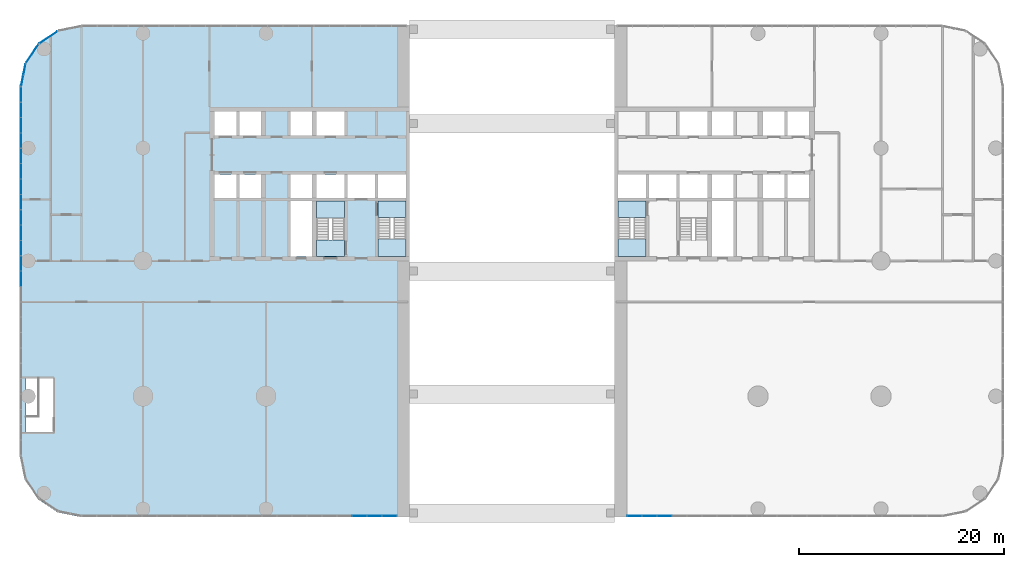
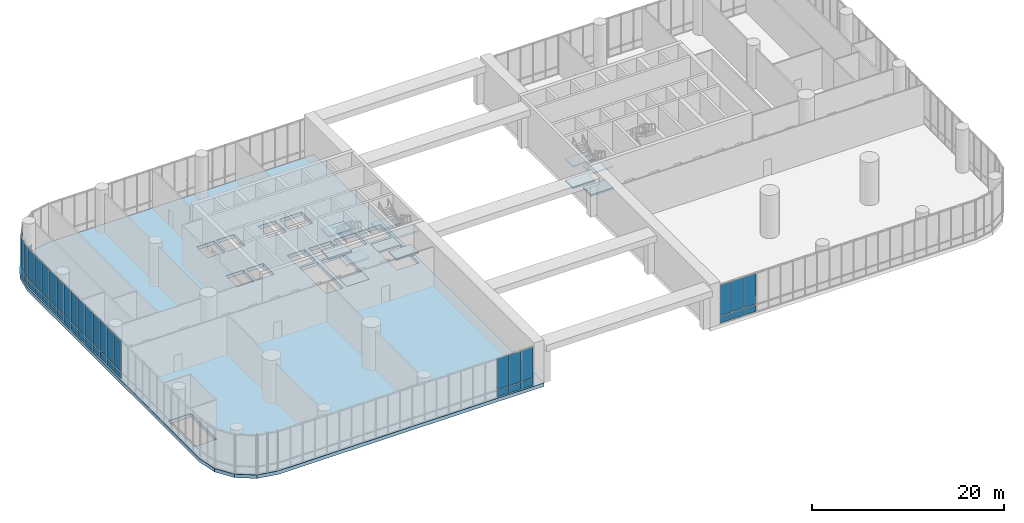
# One storey, part 20 of 30: 45 plates, 13 slabs, 9 elements without a shape of their own.
"""IFC4 building model written with IfcOpenShell, lengths in metres."""

from ifc_helpers import new_model, si_unit, direction, frame, origin, origin_2d, place, context, subcontext, project, spatial, polyline, rectangle, outline, extrude, material, layer, layer_set, type_object, element, aggregate, save


model = new_model("IFC4")

# Units and contexts
model_context = context("Model", 3, precision=1e-05, world=origin(), true_north=direction((0.0, 1.0)))
body_context = subcontext(model_context, "Body", "Model", "MODEL_VIEW")
ifc_project = project(units=[si_unit("LENGTHUNIT", "METRE"), si_unit("AREAUNIT", "SQUARE_METRE"), si_unit("VOLUMEUNIT", "CUBIC_METRE"), si_unit("PLANEANGLEUNIT", "RADIAN"), si_unit("MASSUNIT", "GRAM", prefix="KILO")], contexts=[model_context])

# Site, building, storey
site_placement = place(None, origin())
site = spatial("IfcSite", under=ifc_project, at=site_placement, CompositionType="ELEMENT")
building_placement = place(site_placement, origin())
building = spatial("IfcBuilding", under=site, at=building_placement, Name="Torana Hotel and Residences", CompositionType="ELEMENT")
storey_placement = place(building_placement, frame((0.0, 0.0, 12.5)))
storey = spatial("IfcBuildingStorey", under=building, at=storey_placement, Name="L02", CompositionType="ELEMENT", Elevation=12.5)

# Curtain wall, plates
ifc_material_1 = material(Name="Dark anodised aluminium", Category="aluminium")
ifc_layer_1 = layer(ifc_material_1, 0.14990234375)
ifc_layer_set_1 = layer_set([ifc_layer_1], Name="CW5 PODIUM UPPER UNITISED CURTAIN WALL")
curtain_wall_type = type_object("IfcCurtainWallType", Name="CW5 PODIUM UPPER UNITISED CURTAIN WALL", PredefinedType="NOTDEFINED", material=ifc_layer_set_1)
curtain_wall_1_placement = place(storey_placement, origin())
curtain_wall_1 = element("IfcCurtainWall", 1, at=curtain_wall_1_placement, inside=storey, type_object=curtain_wall_type, Name="Curtain wall CW5 L02 e0.0", PredefinedType="NOTDEFINED")
ifc_material_2 = material(Name="Glass clear low-iron laminated double glazed unit", Category="glass")
ifc_layer_2 = layer(ifc_material_2, 0.035888671875)
ifc_layer_set_2 = layer_set([ifc_layer_2], Name="CW5 DARK GLASS PANEL 36")
plate_type = type_object("IfcPlateType", Name="CW5 DARK GLASS PANEL 36", PredefinedType="CURTAIN_PANEL", material=ifc_layer_set_2)
plate_1_placement = place(storey_placement, frame((-14.86376953125, -39.89990234375, 0.099853515625), z_axis=(0.0, 0.0, 1.0), x_axis=(1.0, 0.0, 0.0)))
plate_1 = element("IfcPlate", 2, at=plate_1_placement, type_object=plate_type, Name="CW5 panel 19.1", PredefinedType="CURTAIN_PANEL", context=body_context, shape_type="SweptSolid", body=[
    extrude(rectangle(XDim=1.405517578125, YDim=0.035888671875, at=origin_2d()), origin(), (0.0, 0.0, 1.0), 0.85009765625),
])
plate_2_placement = place(storey_placement, frame((-14.86376953125, -39.89990234375, 1.050048828125), z_axis=(0.0, 0.0, 1.0), x_axis=(1.0, 0.0, 0.0)))
plate_2 = element("IfcPlate", 3, at=plate_2_placement, type_object=plate_type, Name="CW5 panel 19.2", PredefinedType="CURTAIN_PANEL", context=body_context, shape_type="SweptSolid", body=[
    extrude(rectangle(XDim=1.405517578125, YDim=0.035888671875, at=origin_2d()), origin(), (0.0, 0.0, 1.0), 3.89990234375),
])
plate_3_placement = place(storey_placement, frame((-13.398193359375, -39.89990234375, 0.099853515625), z_axis=(0.0, 0.0, 1.0), x_axis=(1.0, 0.0, 0.0)))
plate_3 = element("IfcPlate", 4, at=plate_3_placement, type_object=plate_type, Name="CW5 panel 20.1", PredefinedType="CURTAIN_PANEL", context=body_context, shape_type="SweptSolid", body=[
    extrude(rectangle(XDim=1.405517578125, YDim=0.035888671875, at=origin_2d()), origin(), (0.0, 0.0, 1.0), 0.85009765625),
])
plate_4_placement = place(storey_placement, frame((-13.398193359375, -39.89990234375, 1.050048828125), z_axis=(0.0, 0.0, 1.0), x_axis=(1.0, 0.0, 0.0)))
plate_4 = element("IfcPlate", 5, at=plate_4_placement, type_object=plate_type, Name="CW5 panel 20.2", PredefinedType="CURTAIN_PANEL", context=body_context, shape_type="SweptSolid", body=[
    extrude(rectangle(XDim=1.405517578125, YDim=0.035888671875, at=origin_2d()), origin(), (0.0, 0.0, 1.0), 3.89990234375),
])
plate_5_placement = place(storey_placement, frame((-11.94775390625, -39.89990234375, 0.099853515625), z_axis=(0.0, 0.0, 1.0), x_axis=(1.0, 0.0, 0.0)))
plate_5 = element("IfcPlate", 6, at=plate_5_placement, type_object=plate_type, Name="CW5 panel 21.1", PredefinedType="CURTAIN_PANEL", context=body_context, shape_type="SweptSolid", body=[
    extrude(rectangle(XDim=1.37548828125, YDim=0.035888671875, at=origin_2d()), origin(), (0.0, 0.0, 1.0), 0.85009765625),
])
plate_6_placement = place(storey_placement, frame((-11.94775390625, -39.89990234375, 1.050048828125), z_axis=(0.0, 0.0, 1.0), x_axis=(1.0, 0.0, 0.0)))
plate_6 = element("IfcPlate", 7, at=plate_6_placement, type_object=plate_type, Name="CW5 panel 21.2", PredefinedType="CURTAIN_PANEL", context=body_context, shape_type="SweptSolid", body=[
    extrude(rectangle(XDim=1.37548828125, YDim=0.035888671875, at=origin_2d()), origin(), (0.0, 0.0, 1.0), 3.89990234375),
])
aggregate(curtain_wall_1, [plate_1, plate_2, plate_3, plate_4, plate_5, plate_6])

# Curtain wall, plate
curtain_wall_2_placement = place(storey_placement, origin())
curtain_wall_2 = element("IfcCurtainWall", 8, at=curtain_wall_2_placement, inside=storey, type_object=curtain_wall_type, Name="Curtain wall CW5 L02 e0.4", PredefinedType="NOTDEFINED")
plate_7_placement = place(storey_placement, frame((-45.2138671875, 6.809814453125, 0.099853515625), z_axis=(0.0, 0.0, 1.0), x_axis=(-0.831459585616, -0.555585238723, 0.0)))
plate_7 = element("IfcPlate", 9, at=plate_7_placement, type_object=plate_type, Name="CW5 panel 1.1", PredefinedType="CURTAIN_PANEL", context=body_context, shape_type="SweptSolid", body=[
    extrude(rectangle(XDim=2.12158203125, YDim=0.035888671875, at=origin_2d()), origin(), (0.0, 0.0, 1.0), 0.85009765625),
])
aggregate(curtain_wall_2, [plate_7])

# Curtain wall, plates
curtain_wall_3_placement = place(storey_placement, origin())
curtain_wall_3 = element("IfcCurtainWall", 10, at=curtain_wall_3_placement, inside=storey, type_object=curtain_wall_type, Name="Curtain wall CW5 L02 e0.5", PredefinedType="NOTDEFINED")
plate_8_placement = place(storey_placement, frame((-46.809814453125, 5.2138671875, 0.099853515625), z_axis=(0.0, 0.0, 1.0), x_axis=(-0.555585238723, -0.831459585616, 0.0)))
plate_8 = element("IfcPlate", 11, at=plate_8_placement, type_object=plate_type, Name="CW5 panel 1.1", PredefinedType="CURTAIN_PANEL", context=body_context, shape_type="SweptSolid", body=[
    extrude(rectangle(XDim=2.12158203125, YDim=0.035888671875, at=origin_2d()), origin(), (0.0, 0.0, 1.0), 0.85009765625),
])
plate_9_placement = place(storey_placement, frame((-46.809814453125, 5.2138671875, 1.050048828125), z_axis=(0.0, 0.0, 1.0), x_axis=(-0.555585238723, -0.831459585616, 0.0)))
plate_9 = element("IfcPlate", 12, at=plate_9_placement, type_object=plate_type, Name="CW5 panel 1.2", PredefinedType="CURTAIN_PANEL", context=body_context, shape_type="SweptSolid", body=[
    extrude(rectangle(XDim=2.12158203125, YDim=0.035888671875, at=origin_2d()), origin(), (0.0, 0.0, 1.0), 3.89990234375),
])
aggregate(curtain_wall_3, [plate_8, plate_9])

curtain_wall_4_placement = place(storey_placement, origin())
curtain_wall_4 = element("IfcCurtainWall", 13, at=curtain_wall_4_placement, inside=storey, type_object=curtain_wall_type, Name="Curtain wall CW5 L02 e0.6", PredefinedType="NOTDEFINED")
plate_10_placement = place(storey_placement, frame((-47.568359375, 3.6572265625, 0.099853515625), z_axis=(0.0, 0.0, 1.0), x_axis=(-0.195080996415, -0.980787135335, 0.0)))
plate_10 = element("IfcPlate", 14, at=plate_10_placement, type_object=plate_type, Name="CW5 panel 1.1", PredefinedType="CURTAIN_PANEL", context=body_context, shape_type="SweptSolid", body=[
    extrude(rectangle(XDim=1.04345703125, YDim=0.035888671875, at=origin_2d()), origin(), (0.0, 0.0, 1.0), 0.85009765625),
])
plate_11_placement = place(storey_placement, frame((-47.568359375, 3.6572265625, 1.050048828125), z_axis=(0.0, 0.0, 1.0), x_axis=(-0.195080996415, -0.980787135335, 0.0)))
plate_11 = element("IfcPlate", 15, at=plate_11_placement, type_object=plate_type, Name="CW5 panel 1.2", PredefinedType="CURTAIN_PANEL", context=body_context, shape_type="SweptSolid", body=[
    extrude(rectangle(XDim=1.04345703125, YDim=0.035888671875, at=origin_2d()), origin(), (0.0, 0.0, 1.0), 3.89990234375),
])
plate_12_placement = place(storey_placement, frame((-47.78369140625, 2.5751953125, 0.099853515625), z_axis=(0.0, 0.0, 1.0), x_axis=(-0.195080996415, -0.980787135335, 0.0)))
plate_12 = element("IfcPlate", 16, at=plate_12_placement, type_object=plate_type, Name="CW5 panel 2.1", PredefinedType="CURTAIN_PANEL", context=body_context, shape_type="SweptSolid", body=[
    extrude(rectangle(XDim=1.04345703125, YDim=0.035888671875, at=origin_2d()), origin(), (0.0, 0.0, 1.0), 0.85009765625),
])
plate_13_placement = place(storey_placement, frame((-47.78369140625, 2.5751953125, 1.050048828125), z_axis=(0.0, 0.0, 1.0), x_axis=(-0.195080996415, -0.980787135335, 0.0)))
plate_13 = element("IfcPlate", 17, at=plate_13_placement, type_object=plate_type, Name="CW5 panel 2.2", PredefinedType="CURTAIN_PANEL", context=body_context, shape_type="SweptSolid", body=[
    extrude(rectangle(XDim=1.04345703125, YDim=0.035888671875, at=origin_2d()), origin(), (0.0, 0.0, 1.0), 3.89990234375),
])
aggregate(curtain_wall_4, [plate_10, plate_11, plate_12, plate_13])

curtain_wall_5_placement = place(storey_placement, origin())
curtain_wall_5 = element("IfcCurtainWall", 18, at=curtain_wall_5_placement, inside=storey, type_object=curtain_wall_type, Name="Curtain wall CW5 L02 e0.7", PredefinedType="NOTDEFINED")
plate_14_placement = place(storey_placement, frame((-47.89990234375, 1.21142578125, 0.099853515625), z_axis=(0.0, 0.0, 1.0), x_axis=(0.0, -1.0, 0.0)))
plate_14 = element("IfcPlate", 19, at=plate_14_placement, type_object=plate_type, Name="CW5 panel 1.1", PredefinedType="CURTAIN_PANEL", context=body_context, shape_type="SweptSolid", body=[
    extrude(rectangle(XDim=1.407958984375, YDim=0.035888671875, at=origin_2d()), origin(), (0.0, 0.0, 1.0), 0.85009765625),
])
plate_15_placement = place(storey_placement, frame((-47.89990234375, 1.21142578125, 1.050048828125), z_axis=(0.0, 0.0, 1.0), x_axis=(0.0, -1.0, 0.0)))
plate_15 = element("IfcPlate", 20, at=plate_15_placement, type_object=plate_type, Name="CW5 panel 1.2", PredefinedType="CURTAIN_PANEL", context=body_context, shape_type="SweptSolid", body=[
    extrude(rectangle(XDim=1.407958984375, YDim=0.035888671875, at=origin_2d()), origin(), (0.0, 0.0, 1.0), 3.89990234375),
])
plate_16_placement = place(storey_placement, frame((-47.89990234375, -0.271484375, 0.099853515625), z_axis=(0.0, 0.0, 1.0), x_axis=(0.0, -1.0, 0.0)))
plate_16 = element("IfcPlate", 21, at=plate_16_placement, type_object=plate_type, Name="CW5 panel 2.1", PredefinedType="CURTAIN_PANEL", context=body_context, shape_type="SweptSolid", body=[
    extrude(rectangle(XDim=1.43798828125, YDim=0.035888671875, at=origin_2d()), origin(), (0.0, 0.0, 1.0), 0.85009765625),
])
plate_17_placement = place(storey_placement, frame((-47.89990234375, -0.271484375, 1.050048828125), z_axis=(0.0, 0.0, 1.0), x_axis=(0.0, -1.0, 0.0)))
plate_17 = element("IfcPlate", 22, at=plate_17_placement, type_object=plate_type, Name="CW5 panel 2.2", PredefinedType="CURTAIN_PANEL", context=body_context, shape_type="SweptSolid", body=[
    extrude(rectangle(XDim=1.43798828125, YDim=0.035888671875, at=origin_2d()), origin(), (0.0, 0.0, 1.0), 3.89990234375),
])
plate_18_placement = place(storey_placement, frame((-47.89990234375, -1.76953125, 0.099853515625), z_axis=(0.0, 0.0, 1.0), x_axis=(0.0, -1.0, 0.0)))
plate_18 = element("IfcPlate", 23, at=plate_18_placement, type_object=plate_type, Name="CW5 panel 3.1", PredefinedType="CURTAIN_PANEL", context=body_context, shape_type="SweptSolid", body=[
    extrude(rectangle(XDim=1.43798828125, YDim=0.035888671875, at=origin_2d()), origin(), (0.0, 0.0, 1.0), 0.85009765625),
])
plate_19_placement = place(storey_placement, frame((-47.89990234375, -1.76953125, 1.050048828125), z_axis=(0.0, 0.0, 1.0), x_axis=(0.0, -1.0, 0.0)))
plate_19 = element("IfcPlate", 24, at=plate_19_placement, type_object=plate_type, Name="CW5 panel 3.2", PredefinedType="CURTAIN_PANEL", context=body_context, shape_type="SweptSolid", body=[
    extrude(rectangle(XDim=1.43798828125, YDim=0.035888671875, at=origin_2d()), origin(), (0.0, 0.0, 1.0), 3.89990234375),
])
plate_20_placement = place(storey_placement, frame((-47.89990234375, -3.267333984375, 0.099853515625), z_axis=(0.0, 0.0, 1.0), x_axis=(0.0, -1.0, 0.0)))
plate_20 = element("IfcPlate", 25, at=plate_20_placement, type_object=plate_type, Name="CW5 panel 4.1", PredefinedType="CURTAIN_PANEL", context=body_context, shape_type="SweptSolid", body=[
    extrude(rectangle(XDim=1.43798828125, YDim=0.035888671875, at=origin_2d()), origin(), (0.0, 0.0, 1.0), 0.85009765625),
])
plate_21_placement = place(storey_placement, frame((-47.89990234375, -3.267333984375, 1.050048828125), z_axis=(0.0, 0.0, 1.0), x_axis=(0.0, -1.0, 0.0)))
plate_21 = element("IfcPlate", 26, at=plate_21_placement, type_object=plate_type, Name="CW5 panel 4.2", PredefinedType="CURTAIN_PANEL", context=body_context, shape_type="SweptSolid", body=[
    extrude(rectangle(XDim=1.43798828125, YDim=0.035888671875, at=origin_2d()), origin(), (0.0, 0.0, 1.0), 3.89990234375),
])
plate_22_placement = place(storey_placement, frame((-47.89990234375, -4.765380859375, 0.099853515625), z_axis=(0.0, 0.0, 1.0), x_axis=(0.0, -1.0, 0.0)))
plate_22 = element("IfcPlate", 27, at=plate_22_placement, type_object=plate_type, Name="CW5 panel 5.1", PredefinedType="CURTAIN_PANEL", context=body_context, shape_type="SweptSolid", body=[
    extrude(rectangle(XDim=1.43798828125, YDim=0.035888671875, at=origin_2d()), origin(), (0.0, 0.0, 1.0), 0.85009765625),
])
plate_23_placement = place(storey_placement, frame((-47.89990234375, -4.765380859375, 1.050048828125), z_axis=(0.0, 0.0, 1.0), x_axis=(0.0, -1.0, 0.0)))
plate_23 = element("IfcPlate", 28, at=plate_23_placement, type_object=plate_type, Name="CW5 panel 5.2", PredefinedType="CURTAIN_PANEL", context=body_context, shape_type="SweptSolid", body=[
    extrude(rectangle(XDim=1.43798828125, YDim=0.035888671875, at=origin_2d()), origin(), (0.0, 0.0, 1.0), 3.89990234375),
])
plate_24_placement = place(storey_placement, frame((-47.89990234375, -6.263427734375, 0.099853515625), z_axis=(0.0, 0.0, 1.0), x_axis=(0.0, -1.0, 0.0)))
plate_24 = element("IfcPlate", 29, at=plate_24_placement, type_object=plate_type, Name="CW5 panel 6.1", PredefinedType="CURTAIN_PANEL", context=body_context, shape_type="SweptSolid", body=[
    extrude(rectangle(XDim=1.43798828125, YDim=0.035888671875, at=origin_2d()), origin(), (0.0, 0.0, 1.0), 0.85009765625),
])
plate_25_placement = place(storey_placement, frame((-47.89990234375, -6.263427734375, 1.050048828125), z_axis=(0.0, 0.0, 1.0), x_axis=(0.0, -1.0, 0.0)))
plate_25 = element("IfcPlate", 30, at=plate_25_placement, type_object=plate_type, Name="CW5 panel 6.2", PredefinedType="CURTAIN_PANEL", context=body_context, shape_type="SweptSolid", body=[
    extrude(rectangle(XDim=1.43798828125, YDim=0.035888671875, at=origin_2d()), origin(), (0.0, 0.0, 1.0), 3.89990234375),
])
plate_26_placement = place(storey_placement, frame((-47.89990234375, -7.76123046875, 0.099853515625), z_axis=(0.0, 0.0, 1.0), x_axis=(0.0, -1.0, 0.0)))
plate_26 = element("IfcPlate", 31, at=plate_26_placement, type_object=plate_type, Name="CW5 panel 7.1", PredefinedType="CURTAIN_PANEL", context=body_context, shape_type="SweptSolid", body=[
    extrude(rectangle(XDim=1.43798828125, YDim=0.035888671875, at=origin_2d()), origin(), (0.0, 0.0, 1.0), 0.85009765625),
])
plate_27_placement = place(storey_placement, frame((-47.89990234375, -7.76123046875, 1.050048828125), z_axis=(0.0, 0.0, 1.0), x_axis=(0.0, -1.0, 0.0)))
plate_27 = element("IfcPlate", 32, at=plate_27_placement, type_object=plate_type, Name="CW5 panel 7.2", PredefinedType="CURTAIN_PANEL", context=body_context, shape_type="SweptSolid", body=[
    extrude(rectangle(XDim=1.43798828125, YDim=0.035888671875, at=origin_2d()), origin(), (0.0, 0.0, 1.0), 3.89990234375),
])
plate_28_placement = place(storey_placement, frame((-47.89990234375, -9.25927734375, 0.099853515625), z_axis=(0.0, 0.0, 1.0), x_axis=(0.0, -1.0, 0.0)))
plate_28 = element("IfcPlate", 33, at=plate_28_placement, type_object=plate_type, Name="CW5 panel 8.1", PredefinedType="CURTAIN_PANEL", context=body_context, shape_type="SweptSolid", body=[
    extrude(rectangle(XDim=1.43798828125, YDim=0.035888671875, at=origin_2d()), origin(), (0.0, 0.0, 1.0), 0.85009765625),
])
plate_29_placement = place(storey_placement, frame((-47.89990234375, -9.25927734375, 1.050048828125), z_axis=(0.0, 0.0, 1.0), x_axis=(0.0, -1.0, 0.0)))
plate_29 = element("IfcPlate", 34, at=plate_29_placement, type_object=plate_type, Name="CW5 panel 8.2", PredefinedType="CURTAIN_PANEL", context=body_context, shape_type="SweptSolid", body=[
    extrude(rectangle(XDim=1.43798828125, YDim=0.035888671875, at=origin_2d()), origin(), (0.0, 0.0, 1.0), 3.89990234375),
])
plate_30_placement = place(storey_placement, frame((-47.89990234375, -10.757080078125, 0.099853515625), z_axis=(0.0, 0.0, 1.0), x_axis=(0.0, -1.0, 0.0)))
plate_30 = element("IfcPlate", 35, at=plate_30_placement, type_object=plate_type, Name="CW5 panel 9.1", PredefinedType="CURTAIN_PANEL", context=body_context, shape_type="SweptSolid", body=[
    extrude(rectangle(XDim=1.43798828125, YDim=0.035888671875, at=origin_2d()), origin(), (0.0, 0.0, 1.0), 0.85009765625),
])
plate_31_placement = place(storey_placement, frame((-47.89990234375, -10.757080078125, 1.050048828125), z_axis=(0.0, 0.0, 1.0), x_axis=(0.0, -1.0, 0.0)))
plate_31 = element("IfcPlate", 36, at=plate_31_placement, type_object=plate_type, Name="CW5 panel 9.2", PredefinedType="CURTAIN_PANEL", context=body_context, shape_type="SweptSolid", body=[
    extrude(rectangle(XDim=1.43798828125, YDim=0.035888671875, at=origin_2d()), origin(), (0.0, 0.0, 1.0), 3.89990234375),
])
plate_32_placement = place(storey_placement, frame((-47.89990234375, -12.255126953125, 0.099853515625), z_axis=(0.0, 0.0, 1.0), x_axis=(0.0, -1.0, 0.0)))
plate_32 = element("IfcPlate", 37, at=plate_32_placement, type_object=plate_type, Name="CW5 panel 10.1", PredefinedType="CURTAIN_PANEL", context=body_context, shape_type="SweptSolid", body=[
    extrude(rectangle(XDim=1.43798828125, YDim=0.035888671875, at=origin_2d()), origin(), (0.0, 0.0, 1.0), 0.85009765625),
])
plate_33_placement = place(storey_placement, frame((-47.89990234375, -12.255126953125, 1.050048828125), z_axis=(0.0, 0.0, 1.0), x_axis=(0.0, -1.0, 0.0)))
plate_33 = element("IfcPlate", 38, at=plate_33_placement, type_object=plate_type, Name="CW5 panel 10.2", PredefinedType="CURTAIN_PANEL", context=body_context, shape_type="SweptSolid", body=[
    extrude(rectangle(XDim=1.43798828125, YDim=0.035888671875, at=origin_2d()), origin(), (0.0, 0.0, 1.0), 3.89990234375),
])
plate_34_placement = place(storey_placement, frame((-47.89990234375, -13.753173828125, 0.099853515625), z_axis=(0.0, 0.0, 1.0), x_axis=(0.0, -1.0, 0.0)))
plate_34 = element("IfcPlate", 39, at=plate_34_placement, type_object=plate_type, Name="CW5 panel 11.1", PredefinedType="CURTAIN_PANEL", context=body_context, shape_type="SweptSolid", body=[
    extrude(rectangle(XDim=1.43798828125, YDim=0.035888671875, at=origin_2d()), origin(), (0.0, 0.0, 1.0), 0.85009765625),
])
plate_35_placement = place(storey_placement, frame((-47.89990234375, -13.753173828125, 1.050048828125), z_axis=(0.0, 0.0, 1.0), x_axis=(0.0, -1.0, 0.0)))
plate_35 = element("IfcPlate", 40, at=plate_35_placement, type_object=plate_type, Name="CW5 panel 11.2", PredefinedType="CURTAIN_PANEL", context=body_context, shape_type="SweptSolid", body=[
    extrude(rectangle(XDim=1.43798828125, YDim=0.035888671875, at=origin_2d()), origin(), (0.0, 0.0, 1.0), 3.89990234375),
])
plate_36_placement = place(storey_placement, frame((-47.89990234375, -15.2509765625, 0.099853515625), z_axis=(0.0, 0.0, 1.0), x_axis=(0.0, -1.0, 0.0)))
plate_36 = element("IfcPlate", 41, at=plate_36_placement, type_object=plate_type, Name="CW5 panel 12.1", PredefinedType="CURTAIN_PANEL", context=body_context, shape_type="SweptSolid", body=[
    extrude(rectangle(XDim=1.43798828125, YDim=0.035888671875, at=origin_2d()), origin(), (0.0, 0.0, 1.0), 0.85009765625),
])
plate_37_placement = place(storey_placement, frame((-47.89990234375, -15.2509765625, 1.050048828125), z_axis=(0.0, 0.0, 1.0), x_axis=(0.0, -1.0, 0.0)))
plate_37 = element("IfcPlate", 42, at=plate_37_placement, type_object=plate_type, Name="CW5 panel 12.2", PredefinedType="CURTAIN_PANEL", context=body_context, shape_type="SweptSolid", body=[
    extrude(rectangle(XDim=1.43798828125, YDim=0.035888671875, at=origin_2d()), origin(), (0.0, 0.0, 1.0), 3.89990234375),
])
plate_38_placement = place(storey_placement, frame((-47.89990234375, -16.7490234375, 0.099853515625), z_axis=(0.0, 0.0, 1.0), x_axis=(0.0, -1.0, 0.0)))
plate_38 = element("IfcPlate", 43, at=plate_38_placement, type_object=plate_type, Name="CW5 panel 13.1", PredefinedType="CURTAIN_PANEL", context=body_context, shape_type="SweptSolid", body=[
    extrude(rectangle(XDim=1.43798828125, YDim=0.035888671875, at=origin_2d()), origin(), (0.0, 0.0, 1.0), 0.85009765625),
])
plate_39_placement = place(storey_placement, frame((-47.89990234375, -16.7490234375, 1.050048828125), z_axis=(0.0, 0.0, 1.0), x_axis=(0.0, -1.0, 0.0)))
plate_39 = element("IfcPlate", 44, at=plate_39_placement, type_object=plate_type, Name="CW5 panel 13.2", PredefinedType="CURTAIN_PANEL", context=body_context, shape_type="SweptSolid", body=[
    extrude(rectangle(XDim=1.43798828125, YDim=0.035888671875, at=origin_2d()), origin(), (0.0, 0.0, 1.0), 3.89990234375),
])
aggregate(curtain_wall_5, [plate_14, plate_15, plate_16, plate_17, plate_18, plate_19, plate_20, plate_21, plate_22, plate_23, plate_24, plate_25, plate_26, plate_27, plate_28, plate_29, plate_30, plate_31, plate_32, plate_33, plate_34, plate_35, plate_36, plate_37, plate_38, plate_39])

curtain_wall_6_placement = place(storey_placement, origin())
curtain_wall_6 = element("IfcCurtainWall", 45, at=curtain_wall_6_placement, inside=storey, type_object=curtain_wall_type, Name="Curtain wall CW5 L02 e1.0", PredefinedType="NOTDEFINED")
plate_40_placement = place(storey_placement, frame((11.94775390625, -39.89990234375, 0.099853515625), z_axis=(0.0, 0.0, 1.0), x_axis=(1.0, 0.0, 0.0)))
plate_40 = element("IfcPlate", 46, at=plate_40_placement, type_object=plate_type, Name="CW5 panel 1.1", PredefinedType="CURTAIN_PANEL", context=body_context, shape_type="SweptSolid", body=[
    extrude(rectangle(XDim=1.37548828125, YDim=0.035888671875, at=origin_2d()), origin(), (0.0, 0.0, 1.0), 0.85009765625),
])
plate_41_placement = place(storey_placement, frame((11.94775390625, -39.89990234375, 1.050048828125), z_axis=(0.0, 0.0, 1.0), x_axis=(1.0, 0.0, 0.0)))
plate_41 = element("IfcPlate", 47, at=plate_41_placement, type_object=plate_type, Name="CW5 panel 1.2", PredefinedType="CURTAIN_PANEL", context=body_context, shape_type="SweptSolid", body=[
    extrude(rectangle(XDim=1.37548828125, YDim=0.035888671875, at=origin_2d()), origin(), (0.0, 0.0, 1.0), 3.89990234375),
])
plate_42_placement = place(storey_placement, frame((13.398193359375, -39.89990234375, 0.099853515625), z_axis=(0.0, 0.0, 1.0), x_axis=(1.0, 0.0, 0.0)))
plate_42 = element("IfcPlate", 48, at=plate_42_placement, type_object=plate_type, Name="CW5 panel 2.1", PredefinedType="CURTAIN_PANEL", context=body_context, shape_type="SweptSolid", body=[
    extrude(rectangle(XDim=1.405517578125, YDim=0.035888671875, at=origin_2d()), origin(), (0.0, 0.0, 1.0), 0.85009765625),
])
plate_43_placement = place(storey_placement, frame((13.398193359375, -39.89990234375, 1.050048828125), z_axis=(0.0, 0.0, 1.0), x_axis=(1.0, 0.0, 0.0)))
plate_43 = element("IfcPlate", 49, at=plate_43_placement, type_object=plate_type, Name="CW5 panel 2.2", PredefinedType="CURTAIN_PANEL", context=body_context, shape_type="SweptSolid", body=[
    extrude(rectangle(XDim=1.405517578125, YDim=0.035888671875, at=origin_2d()), origin(), (0.0, 0.0, 1.0), 3.89990234375),
])
plate_44_placement = place(storey_placement, frame((14.86376953125, -39.89990234375, 0.099853515625), z_axis=(0.0, 0.0, 1.0), x_axis=(1.0, 0.0, 0.0)))
plate_44 = element("IfcPlate", 50, at=plate_44_placement, type_object=plate_type, Name="CW5 panel 3.1", PredefinedType="CURTAIN_PANEL", context=body_context, shape_type="SweptSolid", body=[
    extrude(rectangle(XDim=1.405517578125, YDim=0.035888671875, at=origin_2d()), origin(), (0.0, 0.0, 1.0), 0.85009765625),
])
plate_45_placement = place(storey_placement, frame((14.86376953125, -39.89990234375, 1.050048828125), z_axis=(0.0, 0.0, 1.0), x_axis=(1.0, 0.0, 0.0)))
plate_45 = element("IfcPlate", 51, at=plate_45_placement, type_object=plate_type, Name="CW5 panel 3.2", PredefinedType="CURTAIN_PANEL", context=body_context, shape_type="SweptSolid", body=[
    extrude(rectangle(XDim=1.405517578125, YDim=0.035888671875, at=origin_2d()), origin(), (0.0, 0.0, 1.0), 3.89990234375),
])
aggregate(curtain_wall_6, [plate_40, plate_41, plate_42, plate_43, plate_44, plate_45])

# Slab
ifc_material_3 = material(Name="Concrete C40/50", Category="concrete")
ifc_layer_3 = layer(ifc_material_3, 0.449951171875)
ifc_layer_set_3 = layer_set([ifc_layer_3], Name="FLOOR SLAB PT 450")
slab_type_1 = type_object("IfcSlabType", Name="FLOOR SLAB PT 450", PredefinedType="FLOOR", material=ifc_layer_set_3)
slab_1_placement = place(storey_placement, frame((0.0, 0.0, -0.449951171875)))
element("IfcSlab", 52, at=slab_1_placement, inside=storey, type_object=slab_type_1, Name="Floor slab", PredefinedType="FLOOR", context=body_context, shape_type="SweptSolid", body=[
    extrude(outline(polyline([(-42.0, -40.0), (-10.0, -40.0), (-10.0, 8.0), (-42.0, 8.0), (-44.296142578125, 7.543212890625), (-46.24267578125, 6.24267578125), (-47.543212890625, 4.296142578125), (-48.0, 2.0), (-48.0, -34.0), (-47.543212890625, -36.296142578125), (-46.24267578125, -38.24267578125), (-44.296142578125, -39.543212890625), (-42.0, -40.0)]), holes=[polyline([(-13.050048828125, -14.550048828125), (-10.35009765625, -14.550048828125), (-10.35009765625, -9.14990234375), (-13.050048828125, -9.14990234375), (-13.050048828125, -14.550048828125)]), polyline([(-19.050048828125, -14.550048828125), (-16.35009765625, -14.550048828125), (-16.35009765625, -9.14990234375), (-19.050048828125, -9.14990234375), (-19.050048828125, -14.550048828125)]), polyline([(-19.050048828125, -2.75), (-16.35009765625, -2.75), (-16.35009765625, -0.449951171875), (-19.050048828125, -0.449951171875), (-19.050048828125, -2.75)]), polyline([(-26.60009765625, -2.75), (-24.5, -2.75), (-24.5, -0.449951171875), (-26.60009765625, -0.449951171875), (-26.60009765625, -2.75)]), polyline([(-29.0, -2.75), (-26.89990234375, -2.75), (-26.89990234375, -0.449951171875), (-29.0, -0.449951171875), (-29.0, -2.75)]), polyline([(-26.60009765625, -8.85009765625), (-24.5, -8.85009765625), (-24.5, -6.550048828125), (-26.60009765625, -6.550048828125), (-26.60009765625, -8.85009765625)]), polyline([(-29.0, -8.85009765625), (-26.89990234375, -8.85009765625), (-26.89990234375, -6.550048828125), (-29.0, -6.550048828125), (-29.0, -8.85009765625)]), polyline([(-21.60009765625, -2.75), (-19.5, -2.75), (-19.5, -0.449951171875), (-21.60009765625, -0.449951171875), (-21.60009765625, -2.75)]), polyline([(-21.60009765625, -8.85009765625), (-19.5, -8.85009765625), (-19.5, -6.550048828125), (-21.60009765625, -6.550048828125), (-21.60009765625, -8.85009765625)]), polyline([(-13.050048828125, -8.85009765625), (-10.35009765625, -8.85009765625), (-10.35009765625, -6.550048828125), (-13.050048828125, -6.550048828125), (-13.050048828125, -8.85009765625)]), polyline([(-16.050048828125, -8.85009765625), (-13.35009765625, -8.85009765625), (-13.35009765625, -6.550048828125), (-16.050048828125, -6.550048828125), (-16.050048828125, -8.85009765625)]), polyline([(-19.050048828125, -8.85009765625), (-16.35009765625, -8.85009765625), (-16.35009765625, -6.550048828125), (-19.050048828125, -6.550048828125), (-19.050048828125, -8.85009765625)]), polyline([(-21.60009765625, -14.550048828125), (-19.5, -14.550048828125), (-19.5, -9.14990234375), (-21.60009765625, -9.14990234375), (-21.60009765625, -14.550048828125)]), polyline([(-47.39990234375, -31.800048828125), (-44.699951171875, -31.800048828125), (-44.699951171875, -26.39990234375), (-47.39990234375, -26.39990234375), (-47.39990234375, -31.800048828125)])]), origin(), (0.0, 0.0, 1.0), 0.449951171875),
])

# Stair, slabs
ifc_material_4 = material(Name="Concrete C40/50 precast", Category="concrete")
stair_type_1 = type_object("IfcStairType", Name="STAIR ST1 HALF TURN 1200", PredefinedType="HALF_TURN_STAIR", material=ifc_material_4)
stair_1_placement = place(storey_placement, origin())
stair_1 = element("IfcStair", 53, at=stair_1_placement, inside=storey, type_object=stair_type_1, Name="Stair ST1 L02", PredefinedType="HALF_TURN_STAIR")
ifc_material_5 = material(Name="Concrete C40/50 precast", Category="concrete")
ifc_layer_4 = layer(ifc_material_5, 0.199951171875)
ifc_layer_set_4 = layer_set([ifc_layer_4], Name="STAIR LANDING 200")
slab_type_2 = type_object("IfcSlabType", Name="STAIR LANDING 200", PredefinedType="LANDING", material=ifc_layer_set_4)
slab_2_placement = place(storey_placement, frame((0.0, 0.0, 1.175048828125)))
slab_2 = element("IfcSlab", 54, at=slab_2_placement, type_object=slab_type_2, Name="ST1 landing 1", PredefinedType="LANDING", context=body_context, shape_type="SweptSolid", body=[
    extrude(outline(polyline([(-13.050048828125, -14.550048828125), (-10.35009765625, -14.550048828125), (-10.35009765625, -12.8701171875), (-13.050048828125, -12.8701171875), (-13.050048828125, -14.550048828125)])), origin(), (0.0, 0.0, 1.0), 0.199951171875),
])
slab_3_placement = place(storey_placement, frame((0.0, 0.0, -0.199951171875)))
slab_3 = element("IfcSlab", 55, at=slab_3_placement, type_object=slab_type_2, Name="ST1 landing 2", PredefinedType="LANDING", context=body_context, shape_type="SweptSolid", body=[
    extrude(outline(polyline([(-13.050048828125, -10.75), (-10.35009765625, -10.75), (-10.35009765625, -9.14990234375), (-13.050048828125, -9.14990234375), (-13.050048828125, -10.75)])), origin(), (0.0, 0.0, 1.0), 0.199951171875),
])
slab_4_placement = place(storey_placement, frame((0.0, 0.0, 3.925048828125)))
slab_4 = element("IfcSlab", 56, at=slab_4_placement, type_object=slab_type_2, Name="ST1 landing 3", PredefinedType="LANDING", context=body_context, shape_type="SweptSolid", body=[
    extrude(outline(polyline([(-13.050048828125, -14.550048828125), (-10.35009765625, -14.550048828125), (-10.35009765625, -12.8701171875), (-13.050048828125, -12.8701171875), (-13.050048828125, -14.550048828125)])), origin(), (0.0, 0.0, 1.0), 0.199951171875),
])
slab_5_placement = place(storey_placement, frame((0.0, 0.0, 2.550048828125)))
slab_5 = element("IfcSlab", 57, at=slab_5_placement, type_object=slab_type_2, Name="ST1 landing 4", PredefinedType="LANDING", context=body_context, shape_type="SweptSolid", body=[
    extrude(outline(polyline([(-13.050048828125, -10.75), (-10.35009765625, -10.75), (-10.35009765625, -9.14990234375), (-13.050048828125, -9.14990234375), (-13.050048828125, -10.75)])), origin(), (0.0, 0.0, 1.0), 0.199951171875),
])
aggregate(stair_1, [slab_2, slab_3, slab_4, slab_5])

ifc_material_6 = material(Name="Concrete C40/50 precast", Category="concrete")
stair_type_2 = type_object("IfcStairType", Name="STAIR ST2 HALF TURN 1200", PredefinedType="HALF_TURN_STAIR", material=ifc_material_6)
stair_2_placement = place(storey_placement, origin())
stair_2 = element("IfcStair", 58, at=stair_2_placement, inside=storey, type_object=stair_type_2, Name="Stair ST2 L02", PredefinedType="HALF_TURN_STAIR")
slab_6_placement = place(storey_placement, frame((0.0, 0.0, 1.175048828125)))
slab_6 = element("IfcSlab", 59, at=slab_6_placement, type_object=slab_type_2, Name="ST2 landing 1", PredefinedType="LANDING", context=body_context, shape_type="SweptSolid", body=[
    extrude(outline(polyline([(-19.050048828125, -10.830078125), (-16.35009765625, -10.830078125), (-16.35009765625, -9.14990234375), (-19.050048828125, -9.14990234375), (-19.050048828125, -10.830078125)])), origin(), (0.0, 0.0, 1.0), 0.199951171875),
])
slab_7_placement = place(storey_placement, frame((0.0, 0.0, -0.199951171875)))
slab_7 = element("IfcSlab", 60, at=slab_7_placement, type_object=slab_type_2, Name="ST2 landing 2", PredefinedType="LANDING", context=body_context, shape_type="SweptSolid", body=[
    extrude(outline(polyline([(-19.050048828125, -14.550048828125), (-16.35009765625, -14.550048828125), (-16.35009765625, -12.949951171875), (-19.050048828125, -12.949951171875), (-19.050048828125, -14.550048828125)])), origin(), (0.0, 0.0, 1.0), 0.199951171875),
])
slab_8_placement = place(storey_placement, frame((0.0, 0.0, 3.925048828125)))
slab_8 = element("IfcSlab", 61, at=slab_8_placement, type_object=slab_type_2, Name="ST2 landing 3", PredefinedType="LANDING", context=body_context, shape_type="SweptSolid", body=[
    extrude(outline(polyline([(-19.050048828125, -10.830078125), (-16.35009765625, -10.830078125), (-16.35009765625, -9.14990234375), (-19.050048828125, -9.14990234375), (-19.050048828125, -10.830078125)])), origin(), (0.0, 0.0, 1.0), 0.199951171875),
])
slab_9_placement = place(storey_placement, frame((0.0, 0.0, 2.550048828125)))
slab_9 = element("IfcSlab", 62, at=slab_9_placement, type_object=slab_type_2, Name="ST2 landing 4", PredefinedType="LANDING", context=body_context, shape_type="SweptSolid", body=[
    extrude(outline(polyline([(-19.050048828125, -14.550048828125), (-16.35009765625, -14.550048828125), (-16.35009765625, -12.949951171875), (-19.050048828125, -12.949951171875), (-19.050048828125, -14.550048828125)])), origin(), (0.0, 0.0, 1.0), 0.199951171875),
])
aggregate(stair_2, [slab_6, slab_7, slab_8, slab_9])

ifc_material_7 = material(Name="Concrete C40/50 precast", Category="concrete")
stair_type_3 = type_object("IfcStairType", Name="STAIR ST3 HALF TURN 1200", PredefinedType="HALF_TURN_STAIR", material=ifc_material_7)
stair_3_placement = place(storey_placement, origin())
stair_3 = element("IfcStair", 63, at=stair_3_placement, inside=storey, type_object=stair_type_3, Name="Stair ST3 L02", PredefinedType="HALF_TURN_STAIR")
slab_10_placement = place(storey_placement, frame((0.0, 0.0, 1.175048828125)))
slab_10 = element("IfcSlab", 64, at=slab_10_placement, type_object=slab_type_2, Name="ST3 landing 1", PredefinedType="LANDING", context=body_context, shape_type="SweptSolid", body=[
    extrude(outline(polyline([(10.35009765625, -14.550048828125), (13.050048828125, -14.550048828125), (13.050048828125, -12.8701171875), (10.35009765625, -12.8701171875), (10.35009765625, -14.550048828125)])), origin(), (0.0, 0.0, 1.0), 0.199951171875),
])
slab_11_placement = place(storey_placement, frame((0.0, 0.0, -0.199951171875)))
slab_11 = element("IfcSlab", 65, at=slab_11_placement, type_object=slab_type_2, Name="ST3 landing 2", PredefinedType="LANDING", context=body_context, shape_type="SweptSolid", body=[
    extrude(outline(polyline([(10.35009765625, -10.75), (13.050048828125, -10.75), (13.050048828125, -9.14990234375), (10.35009765625, -9.14990234375), (10.35009765625, -10.75)])), origin(), (0.0, 0.0, 1.0), 0.199951171875),
])
slab_12_placement = place(storey_placement, frame((0.0, 0.0, 3.925048828125)))
slab_12 = element("IfcSlab", 66, at=slab_12_placement, type_object=slab_type_2, Name="ST3 landing 3", PredefinedType="LANDING", context=body_context, shape_type="SweptSolid", body=[
    extrude(outline(polyline([(10.35009765625, -14.550048828125), (13.050048828125, -14.550048828125), (13.050048828125, -12.8701171875), (10.35009765625, -12.8701171875), (10.35009765625, -14.550048828125)])), origin(), (0.0, 0.0, 1.0), 0.199951171875),
])
slab_13_placement = place(storey_placement, frame((0.0, 0.0, 2.550048828125)))
slab_13 = element("IfcSlab", 67, at=slab_13_placement, type_object=slab_type_2, Name="ST3 landing 4", PredefinedType="LANDING", context=body_context, shape_type="SweptSolid", body=[
    extrude(outline(polyline([(10.35009765625, -10.75), (13.050048828125, -10.75), (13.050048828125, -9.14990234375), (10.35009765625, -9.14990234375), (10.35009765625, -10.75)])), origin(), (0.0, 0.0, 1.0), 0.199951171875),
])
aggregate(stair_3, [slab_10, slab_11, slab_12, slab_13])

save(model, "model.ifc")
